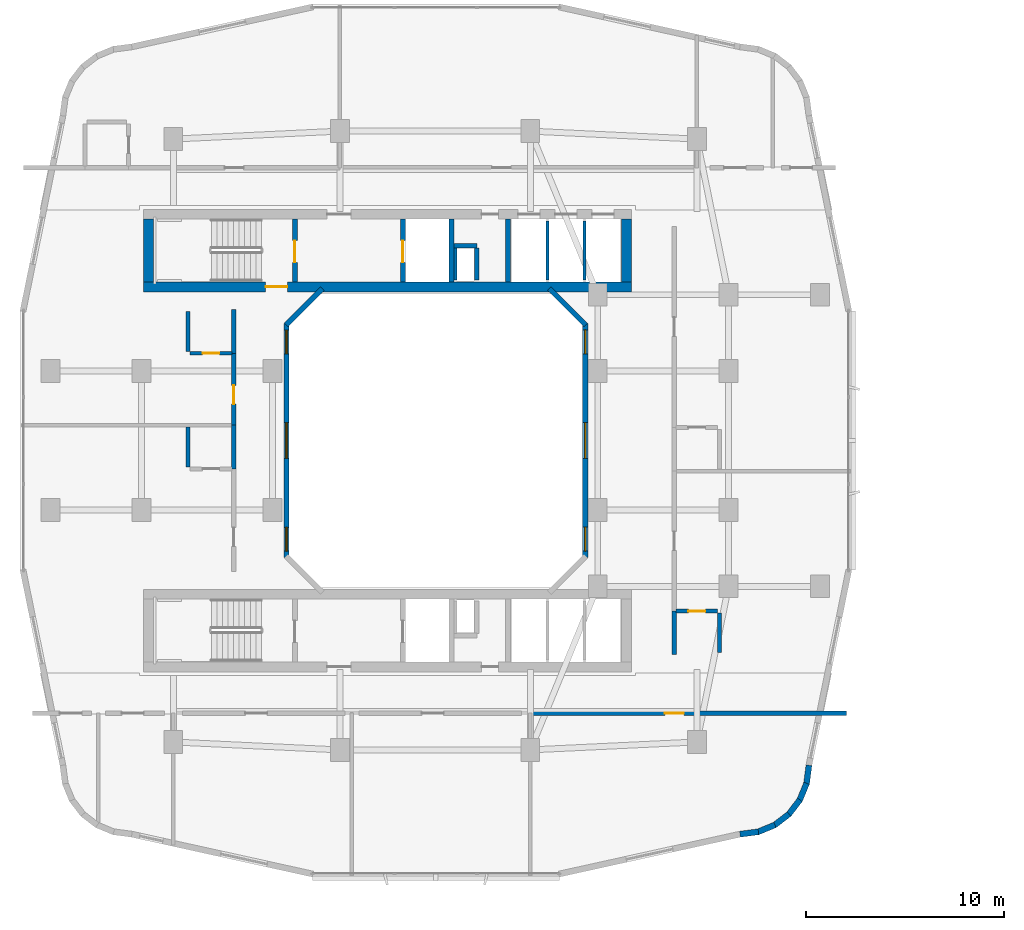
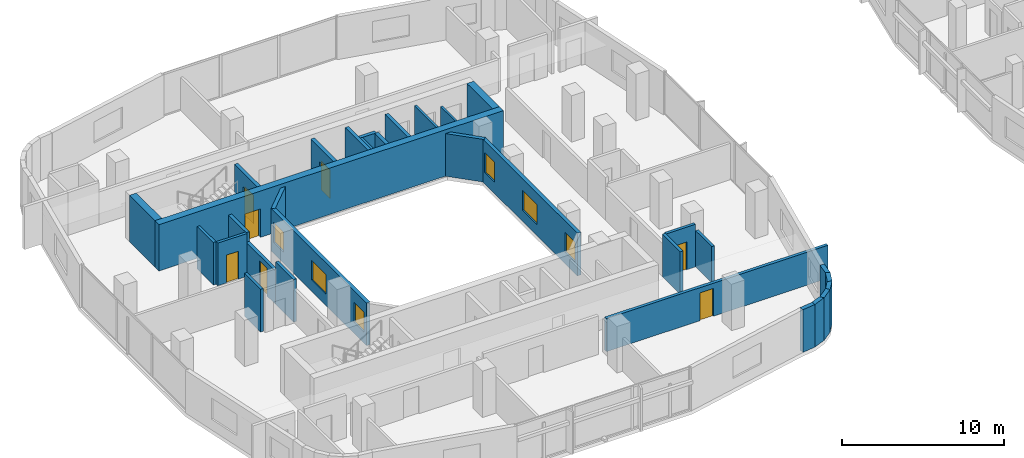
# One storey, part 14 of 26: 32 walls, 7 doors, 6 windows, 13 openings.
"""IFC4 building model written with IfcOpenShell, lengths in metres."""

import ifcopenshell
import ifcopenshell.guid

model = None  # the IFC model being written
_history = None  # IfcOwnerHistory: only IFC2X3 demands one
_inside = {}  # id of a spatial element -> (the spatial element, [elements in it])
_under = {}  # id of a project, library or spatial element -> (it, [spatial elements below it])
_declared = {}  # id of a project -> (the project, [libraries it declares])
_typed = {}  # id of a type object -> (the type object, [elements of that type])
_made_of = {}  # id of a material, layer set ... -> (it, [elements and type objects made of it])


def new_model(schema):
    """Start an empty IFC model of exactly this schema.

    Asked for "IFC4X3", IfcOpenShell would pick the latest addendum, in which some entities
    have other attributes; the version numbers below select the first issue.
    IFC2X3 requires an IfcOwnerHistory on every rooted entity: one is made here for all.
    """
    global model, _history
    if schema == "IFC4X3":
        model = ifcopenshell.file(schema_version=(4, 3, 0, 0))
    else:
        model = ifcopenshell.file(schema=schema)
    _inside.clear()
    _under.clear()
    _declared.clear()
    _typed.clear()
    _made_of.clear()
    _history = None
    if model.schema == "IFC2X3":
        org = make("IfcOrganization", Name="unknown")
        user = make(
            "IfcPersonAndOrganization",
            ThePerson=make("IfcPerson", FamilyName="unknown"),
            TheOrganization=org,
        )
        app = make(
            "IfcApplication",
            ApplicationDeveloper=org,
            Version="unknown",
            ApplicationFullName="unknown",
            ApplicationIdentifier="unknown",
        )
        _history = make(
            "IfcOwnerHistory",
            OwningUser=user,
            OwningApplication=app,
            ChangeAction="ADDED",
            CreationDate=0,
        )
    return model


def make(cls, **values):
    """One entity of the class cls with the attributes given. An attribute that is None is left unset."""
    return model.create_entity(
        cls, **{name: value for name, value in values.items() if value is not None}
    )


def rooted(cls, **values):
    """An entity with a GlobalId (a new one), such as an element, a storey or a relation."""
    return make(cls, GlobalId=ifcopenshell.guid.new(), OwnerHistory=_history, **values)


def si_unit(unit_type, name, prefix=None):
    """IfcSIUnit, for example si_unit("LENGTHUNIT", "METRE", prefix="MILLI")."""
    return make("IfcSIUnit", UnitType=unit_type, Prefix=prefix, Name=name)


def derived_unit(unit_type, elements):
    """IfcDerivedUnit: a product of units, each with its exponent."""
    return make(
        "IfcDerivedUnit",
        Elements=[
            make("IfcDerivedUnitElement", Unit=unit, Exponent=power)
            for unit, power in elements
        ],
        UnitType=unit_type,
    )


def assignment(units):
    """IfcUnitAssignment: the units of a project."""
    return None if units is None else make("IfcUnitAssignment", Units=units)


def point(xyz):
    """IfcCartesianPoint."""
    return None if xyz is None else make("IfcCartesianPoint", Coordinates=xyz)


def direction(xyz):
    """IfcDirection."""
    return None if xyz is None else make("IfcDirection", DirectionRatios=xyz)


def frame(location, z_axis=None, x_axis=None):
    """IfcAxis2Placement3D, a coordinate frame: its origin and axes. An axis left out is left unset."""
    return make(
        "IfcAxis2Placement3D",
        Location=point(location),
        Axis=direction(z_axis),
        RefDirection=direction(x_axis),
    )


def frame_2d(location, x_axis=None):
    """IfcAxis2Placement2D, a coordinate frame in the plane: its origin and x axis."""
    return make(
        "IfcAxis2Placement2D", Location=point(location), RefDirection=direction(x_axis)
    )


def origin():
    """The frame at (0, 0, 0) with its axes left unset."""
    return frame((0.0, 0.0, 0.0))


def place(relative_to, where):
    """IfcLocalPlacement: puts the frame where relative to a parent placement (None: the world)."""
    return make(
        "IfcLocalPlacement", PlacementRelTo=relative_to, RelativePlacement=where
    )


def context(
    kind, dimensions, precision=None, world=None, true_north=None, identifier=None
):
    """IfcGeometricRepresentationContext, for example the 3D "Model" context."""
    return make(
        "IfcGeometricRepresentationContext",
        ContextIdentifier=identifier,
        ContextType=kind,
        CoordinateSpaceDimension=dimensions,
        Precision=precision,
        WorldCoordinateSystem=world,
        TrueNorth=true_north,
    )


def subcontext(parent, identifier, kind, view, scale=None):
    """IfcGeometricRepresentationSubContext, for example "Body" below "Model"."""
    return make(
        "IfcGeometricRepresentationSubContext",
        ContextIdentifier=identifier,
        ContextType=kind,
        ParentContext=parent,
        TargetScale=scale,
        TargetView=view,
    )


def project(units=None, contexts=None):
    """IfcProject with its units and contexts."""
    return rooted(
        "IfcProject",
        Name="project",
        RepresentationContexts=contexts,
        UnitsInContext=assignment(units),
    )


def spatial(cls, under=None, at=None, **own):
    """A site, building, storey or space (cls), placed at a placement, below another one or the project."""
    s = rooted(cls, ObjectPlacement=at, **own)
    if under is not None:
        _under.setdefault(under.id(), (under, []))[1].append(s)
    return s


def profile(cls, at=None, kind="AREA", **sizes):
    """A parametric profile (cls). Its sizes go by their IFC names, for example OverallWidth=200.0."""
    return make(cls, ProfileType=kind, Position=at, **sizes)


def rectangle(**sizes):
    """IfcRectangleProfileDef."""
    return profile("IfcRectangleProfileDef", **sizes)


def extrude(swept, where, along, depth):
    """IfcExtrudedAreaSolid: the profile swept, set in the frame where, extruded along a direction by depth."""
    return make(
        "IfcExtrudedAreaSolid",
        SweptArea=swept,
        Position=where,
        ExtrudedDirection=direction(along),
        Depth=depth,
    )


def shape(context_of_items, identifier, shape_type, items):
    """IfcShapeRepresentation: the items that make up one representation, for example the "Body"."""
    return make(
        "IfcShapeRepresentation",
        ContextOfItems=context_of_items,
        RepresentationIdentifier=identifier,
        RepresentationType=shape_type,
        Items=items,
    )


def material(Name=None, Category=None):
    """IfcMaterial."""
    return make("IfcMaterial", Name=Name, Category=Category)


def layer(
    of_material, thickness, ventilated=None, Name=None, Category=None, Priority=None
):
    """IfcMaterialLayer: one layer of a wall or slab, of a material (None: an air gap)."""
    return make(
        "IfcMaterialLayer",
        Material=of_material,
        LayerThickness=thickness,
        IsVentilated=ventilated,
        Name=Name,
        Category=Category,
        Priority=Priority,
    )


def layer_set(layers, Name=None):
    """IfcMaterialLayerSet."""
    return make("IfcMaterialLayerSet", MaterialLayers=layers, LayerSetName=Name)


def made_of(thing, what):
    """Note that an element or type object is made of a material, layer set ...; save() writes the relation."""
    if what is not None:
        _made_of.setdefault(what.id(), (what, []))[1].append(thing)
    return thing


def type_object(cls, material=None, **own):
    """A type object (cls), such as IfcWallType, which elements share."""
    return made_of(rooted(cls, **own), material)


def element(
    cls,
    number,
    at=None,
    inside=None,
    cuts=None,
    type_object=None,
    material=None,
    context=None,
    identifier="Body",
    shape_type=None,
    held_by="IfcProductDefinitionShape",
    body=None,
    shapes=None,
    **own,
):
    """One element of the class cls, such as IfcWall. Its Tag is "e" and its number.

    at: its placement. inside: the storey or other place that contains it. cuts: it is an
    opening in that element (IfcRelVoidsElement). A single representation is given by context,
    identifier, shape_type and body (its items); several are given by shapes. held_by: the class
    of the entity that holds the representations. save() writes the other relations.
    """
    e = rooted(cls, Tag="e%d" % number, ObjectPlacement=at, **own)
    if body is not None:
        shapes = [shape(context, identifier, shape_type, body)]
    if shapes is not None:
        e.Representation = make(held_by, Representations=shapes)
    if inside is not None:
        _inside.setdefault(inside.id(), (inside, []))[1].append(e)
    if cuts is not None:
        rooted(
            "IfcRelVoidsElement", RelatingBuildingElement=cuts, RelatedOpeningElement=e
        )
    if type_object is not None:
        _typed.setdefault(type_object.id(), (type_object, []))[1].append(e)
    return made_of(e, material)


def fill(opening, filler):
    """IfcRelFillsElement: the door or window that sits in an opening."""
    return rooted(
        "IfcRelFillsElement",
        RelatingOpeningElement=opening,
        RelatedBuildingElement=filler,
    )


def aggregate(whole, parts):
    """IfcRelAggregates: a whole, such as a stair, and the parts it consists of."""
    return rooted("IfcRelAggregates", RelatingObject=whole, RelatedObjects=parts)


def save(model, path):
    """Write the relations noted so far, then the file.

    IfcRelAggregates (storeys below a building ...), IfcRelContainedInSpatialStructure (elements
    in a storey), IfcRelDefinesByType, IfcRelAssociatesMaterial and IfcRelDeclares: one each for
    every whole, place, type object, material and project.
    """
    for whole, parts in _under.values():
        aggregate(whole, parts)
    for where, things in _inside.values():
        rooted(
            "IfcRelContainedInSpatialStructure",
            RelatedElements=things,
            RelatingStructure=where,
        )
    for kind, things in _typed.values():
        rooted("IfcRelDefinesByType", RelatedObjects=things, RelatingType=kind)
    for what, things in _made_of.values():
        rooted("IfcRelAssociatesMaterial", RelatedObjects=things, RelatingMaterial=what)
    for by, libraries in _declared.values():
        rooted("IfcRelDeclares", RelatingContext=by, RelatedDefinitions=libraries)
    model.write(path)


model = new_model("IFC4")

# Units and contexts
model_context = context("Model", 3, precision=1e-05, world=origin(), true_north=direction((0.0, 1.0)))
body_context = subcontext(model_context, "Body", "Model", "MODEL_VIEW")
ifc_project = project(units=[si_unit("LENGTHUNIT", "METRE"), si_unit("AREAUNIT", "SQUARE_METRE"), si_unit("VOLUMEUNIT", "CUBIC_METRE"), si_unit("PLANEANGLEUNIT", "RADIAN"), si_unit("MASSUNIT", "GRAM", prefix="KILO"), derived_unit("THERMALTRANSMITTANCEUNIT", [(si_unit("POWERUNIT", "WATT"), 1), (si_unit("LENGTHUNIT", "METRE"), -2), (si_unit("THERMODYNAMICTEMPERATUREUNIT", "KELVIN"), -1)])], contexts=[model_context])

# Site, building, storey
site_placement = place(None, origin())
site = spatial("IfcSite", under=ifc_project, at=site_placement, CompositionType="ELEMENT")
building_placement = place(site_placement, origin())
building = spatial("IfcBuilding", under=site, at=building_placement, Name="Kivonza Crest Hotel", CompositionType="ELEMENT")
storey_placement = place(building_placement, frame((0.0, 0.0, 66.0)))
storey = spatial("IfcBuildingStorey", under=building, at=storey_placement, Name="L17", CompositionType="ELEMENT", Elevation=66.0)

# Wall, opening, door
ifc_material_1 = material(Name="Autoclaved aerated concrete blockwork", Category="masonry")
ifc_layer_1 = layer(ifc_material_1, 0.219970703125)
ifc_layer_set_1 = layer_set([ifc_layer_1], Name="Autoclaved aerated concrete blockwork")
wall_type_1 = type_object("IfcWallType", Name="WL-ACOU-220", PredefinedType="SOLIDWALL", material=ifc_layer_set_1)
wall_1_placement = place(storey_placement, frame((25.89990234375, 11.25, 0.0), z_axis=(0.0, 0.0, 1.0), x_axis=(1.0, 0.0, 0.0)))
wall_1 = element("IfcWall", 1, at=wall_1_placement, inside=storey, type_object=wall_type_1, Name="L17 interior partition WA-L17-BUS-MTG-N", PredefinedType="SOLIDWALL", context=body_context, shape_type="SweptSolid", body=[
    extrude(rectangle(XDim=15.840087890625, YDim=0.219970703125, at=frame_2d((7.919921875, 0.0))), origin(), (0.0, 0.0, 1.0), 2.4951171875),
])
opening_1_placement = place(wall_1_placement, frame((6.69091796875, 0.0, 0.0)))
opening_1 = element("IfcOpeningElement", 2, at=opening_1_placement, cuts=wall_1, Name="Opening DF-60S", PredefinedType="OPENING", context=body_context, shape_type="SweptSolid", body=[
    extrude(rectangle(XDim=0.949951171875, YDim=2.10009765625, at=frame_2d((0.47509765625, 1.050048828125))), frame((0.0, 0.1201171875, 0.0), z_axis=(0.0, -1.0, 0.0), x_axis=(1.0, 0.0, 0.0)), (0.0, 0.0, 1.0), 0.239990234375),
])
ifc_material_2 = material(Name="Hardwood timber oak", Category="wood")
door_type_1 = type_object("IfcDoorType", Name="DR-FD60-950", OperationType="NOTDEFINED", PredefinedType="DOOR", material=ifc_material_2)
door_1_placement = place(opening_1_placement, frame((0.949951171875, 0.0, 0.0), z_axis=(0.0, 0.0, 1.0), x_axis=(-1.0, 0.0, 0.0)))
door_1 = element("IfcDoor", 3, at=door_1_placement, inside=storey, type_object=door_type_1, Name="L17 Floor Beverage Kitchen door", OperationType="SINGLE_SWING_RIGHT", OverallHeight=2.10009765625, OverallWidth=0.949951171875, PredefinedType="DOOR", context=body_context, shape_type="SweptSolid", body=[
    extrude(rectangle(XDim=0.949951171875, YDim=2.10009765625, at=frame_2d((0.47509765625, 1.050048828125))), frame((0.0, 0.02490234375, 0.0), z_axis=(0.0, -1.0, 0.0), x_axis=(1.0, 0.0, 0.0)), (0.0, 0.0, 1.0), 0.050048828125),
])
fill(opening_1, door_1)

# Walls
wall_2_placement = place(storey_placement, frame((10.85009765625, 23.570068359375, 0.0), z_axis=(0.0, 0.0, 1.0), x_axis=(0.0, 1.0, 0.0)))
element("IfcWall", 4, at=wall_2_placement, inside=storey, type_object=wall_type_1, Name="L17 interior partition WA-L17-W02-BCORR", PredefinedType="SOLIDWALL", context=body_context, shape_type="SweptSolid", body=[
    extrude(rectangle(XDim=2.199951171875, YDim=0.219970703125, at=frame_2d((1.10009765625, 0.0))), origin(), (0.0, 0.0, 1.0), 3.219970703125),
])
wall_3_placement = place(storey_placement, frame((10.85009765625, 29.39990234375, 0.0), z_axis=(0.0, 0.0, 1.0), x_axis=(0.0, 1.0, 0.0)))
element("IfcWall", 5, at=wall_3_placement, inside=storey, type_object=wall_type_1, Name="L17 interior partition WA-L17-W03-BCORR", PredefinedType="SOLIDWALL", context=body_context, shape_type="SweptSolid", body=[
    extrude(rectangle(XDim=2.2001953125, YDim=0.219970703125, at=frame_2d((1.10009765625, 0.0))), origin(), (0.0, 0.0, 1.0), 3.219970703125),
])

# Wall, opening, door
wall_4_placement = place(storey_placement, frame((10.85009765625, 25.77001953125, 0.0), z_axis=(0.0, 0.0, 1.0), x_axis=(0.0, 1.0, 0.0)))
wall_4 = element("IfcWall", 6, at=wall_4_placement, inside=storey, type_object=wall_type_1, Name="L17 interior partition WA-L17-W03-MCORR", PredefinedType="SOLIDWALL", context=body_context, shape_type="SweptSolid", body=[
    extrude(rectangle(XDim=3.6298828125, YDim=0.219970703125, at=frame_2d((1.81494140625, 0.0))), origin(), (0.0, 0.0, 1.0), 2.4951171875),
])
opening_2_placement = place(wall_4_placement, frame((1.06005859375, 0.0, 0.0)))
opening_2 = element("IfcOpeningElement", 7, at=opening_2_placement, cuts=wall_4, Name="Opening DU-60", PredefinedType="OPENING", context=body_context, shape_type="SweptSolid", body=[
    extrude(rectangle(XDim=0.949951171875, YDim=2.10009765625, at=frame_2d((0.47509765625, 1.050048828125))), frame((0.0, 0.1201171875, 0.0), z_axis=(0.0, -1.0, 0.0), x_axis=(1.0, 0.0, 0.0)), (0.0, 0.0, 1.0), 0.239990234375),
])
door_type_2 = type_object("IfcDoorType", Name="DR-UNIT-950", OperationType="NOTDEFINED", PredefinedType="DOOR", material=ifc_material_2)
door_2_placement = place(opening_2_placement, origin())
door_2 = element("IfcDoor", 8, at=door_2_placement, inside=storey, type_object=door_type_2, Name="L17 W03 guest unit entrance fire door", OperationType="SINGLE_SWING_LEFT", OverallHeight=2.10009765625, OverallWidth=0.949951171875, PredefinedType="DOOR", context=body_context, shape_type="SweptSolid", body=[
    extrude(rectangle(XDim=0.949951171875, YDim=2.10009765625, at=frame_2d((0.47509765625, 1.050048828125))), frame((0.0, 0.02490234375, 0.0), z_axis=(0.0, -1.0, 0.0), x_axis=(1.0, 0.0, 0.0)), (0.0, 0.0, 1.0), 0.050048828125),
])
fill(opening_2, door_2)

# Wall
wall_5_placement = place(storey_placement, frame((33.050048828125, 14.199951171875, 0.0), z_axis=(0.0, 0.0, 1.0), x_axis=(0.0, 1.0, 0.0)))
element("IfcWall", 9, at=wall_5_placement, inside=storey, type_object=wall_type_1, Name="L17 interior partition WA-L17-E04-BCORR", PredefinedType="SOLIDWALL", context=body_context, shape_type="SweptSolid", body=[
    extrude(rectangle(XDim=2.199951171875, YDim=0.219970703125, at=frame_2d((1.10009765625, 0.0))), origin(), (0.0, 0.0, 1.0), 3.219970703125),
])

# Wall, opening, door
ifc_material_3 = material(Name="Concrete C60/75", Category="concrete")
ifc_layer_2 = layer(ifc_material_3, 0.5)
ifc_layer_set_2 = layer_set([ifc_layer_2], Name="Concrete C60/75")
wall_type_2 = type_object("IfcWallType", Name="WL-CORE-500", PredefinedType="SHEAR", material=ifc_layer_set_2)
wall_6_placement = place(storey_placement, frame((6.300048828125, 32.75, 0.0), z_axis=(0.0, 0.0, 1.0), x_axis=(1.0, 0.0, 0.0)))
wall_6 = element("IfcWall", 10, at=wall_6_placement, inside=storey, type_object=wall_type_2, Name="Core wall T1-N South L17", PredefinedType="SHEAR", context=body_context, shape_type="SweptSolid", body=[
    extrude(rectangle(XDim=24.599853515625, YDim=0.5, at=frame_2d((12.2998046875, 0.0))), origin(), (0.0, 0.0, 1.0), 3.5),
])
opening_3_placement = place(wall_6_placement, frame((6.14990234375, 0.0, 0.0)))
opening_3 = element("IfcOpeningElement", 11, at=opening_3_placement, cuts=wall_6, Name="Opening DF-120", PredefinedType="OPENING", context=body_context, shape_type="SweptSolid", body=[
    extrude(rectangle(XDim=1.10009765625, YDim=2.14990234375, at=frame_2d((0.550048828125, 1.074951171875))), frame((0.0, 0.260009765625, 0.0), z_axis=(0.0, -1.0, 0.0), x_axis=(1.0, 0.0, 0.0)), (0.0, 0.0, 1.0), 0.52001953125),
])
ifc_material_4 = material(Name="Galvanised steel", Category="steel")
door_type_3 = type_object("IfcDoorType", Name="DR-FD120-1100", OperationType="NOTDEFINED", PredefinedType="DOOR", material=ifc_material_4)
door_3_placement = place(opening_3_placement, origin())
door_3 = element("IfcDoor", 12, at=door_3_placement, inside=storey, type_object=door_type_3, Name="L17 West corridor stair access fire door", OperationType="SINGLE_SWING_LEFT", OverallHeight=2.14990234375, OverallWidth=1.10009765625, PredefinedType="DOOR", context=body_context, shape_type="SweptSolid", body=[
    extrude(rectangle(XDim=1.10009765625, YDim=2.14990234375, at=frame_2d((0.550048828125, 1.074951171875))), frame((0.0, 0.02490234375, 0.0), z_axis=(0.0, -1.0, 0.0), x_axis=(1.0, 0.0, 0.0)), (0.0, 0.0, 1.0), 0.050048828125),
])
fill(opening_3, door_3)

# Walls
for number, where, z_axis, x_axis, name in (
    (13, (6.550048828125, 33.0, 0.0), (0.0, 0.0, 1.0), (0.0, 1.0, 0.0), "Core wall T1-N West L17"),
    (14, (30.64990234375, 33.0, 0.0), (0.0, 0.0, 1.0), (0.0, 1.0, 0.0), "Core wall T1-N East L17"),
):
    element("IfcWall", number, at=place(storey_placement, frame(where, z_axis=z_axis, x_axis=x_axis)), inside=storey, type_object=wall_type_2, Name=name, PredefinedType="SHEAR", context=body_context, shape_type="SweptSolid", body=[
        extrude(rectangle(XDim=3.159912109375, YDim=0.5, at=frame_2d((1.580078125, 0.0))), origin(), (0.0, 0.0, 1.0), 3.5),
    ])

# Wall, openings, windows
ifc_material_5 = material(Name="Precast concrete C40/50", Category="concrete")
ifc_layer_3 = layer(ifc_material_5, 0.260009765625)
ifc_layer_set_3 = layer_set([ifc_layer_3], Name="Precast concrete C40/50")
wall_type_3 = type_object("IfcWallType", Name="WL-EXT-260", PredefinedType="STANDARD", material=ifc_layer_set_3)
wall_7_placement = place(storey_placement, frame((28.570068359375, 19.110107421875, 0.0), z_axis=(0.0, 0.0, 1.0), x_axis=(0.0, 1.0, 0.0)))
wall_7 = element("IfcWall", 15, at=wall_7_placement, inside=storey, type_object=wall_type_3, Name="L17 T1 light-well exterior wall 3", PredefinedType="STANDARD", context=body_context, shape_type="SweptSolid", body=[
    extrude(rectangle(XDim=11.77978515625, YDim=0.260009765625, at=frame_2d((5.889892578125, 0.0))), origin(), (0.0, 0.0, 1.0), 3.219970703125),
])
opening_4_placement = place(wall_7_placement, frame((0.318115234375, 0.0, 0.85009765625)))
opening_4 = element("IfcOpeningElement", 16, at=opening_4_placement, cuts=wall_7, Name="Opening WN-01", PredefinedType="OPENING", context=body_context, shape_type="SweptSolid", body=[
    extrude(rectangle(XDim=1.199951171875, YDim=1.5, at=frame_2d((0.60009765625, 0.75))), frame((0.0, 0.14013671875, 0.0), z_axis=(0.0, -1.0, 0.0), x_axis=(1.0, 0.0, 0.0)), (0.0, 0.0, 1.0), 0.280029296875),
])
opening_5_placement = place(wall_7_placement, frame((4.989990234375, 0.0, 0.85009765625)))
opening_5 = element("IfcOpeningElement", 17, at=opening_5_placement, cuts=wall_7, Name="Opening WN-03", PredefinedType="OPENING", context=body_context, shape_type="SweptSolid", body=[
    extrude(rectangle(XDim=1.800048828125, YDim=1.5, at=frame_2d((0.89990234375, 0.75))), frame((0.0, 0.14013671875, 0.0), z_axis=(0.0, -1.0, 0.0), x_axis=(1.0, 0.0, 0.0)), (0.0, 0.0, 1.0), 0.280029296875),
])
opening_6_placement = place(wall_7_placement, frame((10.262939453125, 0.0, 0.85009765625)))
opening_6 = element("IfcOpeningElement", 18, at=opening_6_placement, cuts=wall_7, Name="Opening WN-01", PredefinedType="OPENING", context=body_context, shape_type="SweptSolid", body=[
    extrude(rectangle(XDim=1.199951171875, YDim=1.5, at=frame_2d((0.60009765625, 0.75))), frame((0.0, 0.14013671875, 0.0), z_axis=(0.0, -1.0, 0.0), x_axis=(1.0, 0.0, 0.0)), (0.0, 0.0, 1.0), 0.280029296875),
])
ifc_material_6 = material(Name="Thermally broken bronze aluminium and low-E double glazing", Category="aluminium")
window_type_1 = type_object("IfcWindowType", Name="WN-120x150", PartitioningType="SINGLE_PANEL", PredefinedType="WINDOW", material=ifc_material_6)
window_1_placement = place(opening_4_placement, origin())
window_1 = element("IfcWindow", 19, at=window_1_placement, inside=storey, type_object=window_type_1, Name="L17 T1 light-well window 3 bay 1", OverallHeight=1.5, OverallWidth=1.199951171875, PartitioningType="SINGLE_PANEL", PredefinedType="WINDOW", context=body_context, shape_type="SweptSolid", body=[
    extrude(rectangle(XDim=1.199951171875, YDim=1.5, at=frame_2d((0.60009765625, 0.75))), frame((0.0, 0.030029296875, 0.0), z_axis=(0.0, -1.0, 0.0), x_axis=(1.0, 0.0, 0.0)), (0.0, 0.0, 1.0), 0.06005859375),
])
fill(opening_4, window_1)
window_2_placement = place(opening_6_placement, origin())
window_2 = element("IfcWindow", 20, at=window_2_placement, inside=storey, type_object=window_type_1, Name="L17 T1 light-well window 3 bay 3", OverallHeight=1.5, OverallWidth=1.199951171875, PartitioningType="SINGLE_PANEL", PredefinedType="WINDOW", context=body_context, shape_type="SweptSolid", body=[
    extrude(rectangle(XDim=1.199951171875, YDim=1.5, at=frame_2d((0.60009765625, 0.75))), frame((0.0, 0.030029296875, 0.0), z_axis=(0.0, -1.0, 0.0), x_axis=(1.0, 0.0, 0.0)), (0.0, 0.0, 1.0), 0.06005859375),
])
fill(opening_6, window_2)
window_type_2 = type_object("IfcWindowType", Name="WN-180x150", PartitioningType="DOUBLE_PANEL_VERTICAL", PredefinedType="WINDOW", material=ifc_material_6)
window_3_placement = place(opening_5_placement, origin())
window_3 = element("IfcWindow", 21, at=window_3_placement, inside=storey, type_object=window_type_2, Name="L17 T1 light-well window 3 bay 2", OverallHeight=1.5, OverallWidth=1.800048828125, PartitioningType="SINGLE_PANEL", PredefinedType="WINDOW", context=body_context, shape_type="SweptSolid", body=[
    extrude(rectangle(XDim=1.800048828125, YDim=1.5, at=frame_2d((0.89990234375, 0.75))), frame((0.0, 0.030029296875, 0.0), z_axis=(0.0, -1.0, 0.0), x_axis=(1.0, 0.0, 0.0)), (0.0, 0.0, 1.0), 0.06005859375),
])
fill(opening_5, window_3)

# Walls
wall_8_placement = place(storey_placement, frame((28.595947265625, 30.827880859375, 0.0), z_axis=(0.0, 0.0, 1.0), x_axis=(-0.707059717605, 0.707153841636, 0.0)))
element("IfcWall", 22, at=wall_8_placement, inside=storey, type_object=wall_type_3, Name="L17 T1 light-well exterior wall 4", PredefinedType="STANDARD", context=body_context, shape_type="SweptSolid", body=[
    extrude(rectangle(XDim=2.59375, YDim=0.260009765625, at=frame_2d((1.296875, 0.0))), origin(), (0.0, 0.0, 1.0), 3.219970703125),
])
wall_9_placement = place(storey_placement, frame((15.318115234375, 32.662109375, 0.0), z_axis=(0.0, 0.0, 1.0), x_axis=(-0.707106781187, -0.707106781187, 0.0)))
element("IfcWall", 23, at=wall_9_placement, inside=storey, type_object=wall_type_3, Name="L17 T1 light-well exterior wall 6", PredefinedType="STANDARD", context=body_context, shape_type="SweptSolid", body=[
    extrude(rectangle(XDim=2.593994140625, YDim=0.260009765625, at=frame_2d((1.296875, 0.0))), origin(), (0.0, 0.0, 1.0), 3.219970703125),
])

# Wall, openings, windows
wall_10_placement = place(storey_placement, frame((13.510009765625, 30.889892578125, 0.0), z_axis=(0.0, 0.0, 1.0), x_axis=(0.0, -1.0, 0.0)))
wall_10 = element("IfcWall", 24, at=wall_10_placement, inside=storey, type_object=wall_type_3, Name="L17 T1 light-well exterior wall 7", PredefinedType="STANDARD", context=body_context, shape_type="SweptSolid", body=[
    extrude(rectangle(XDim=11.77978515625, YDim=0.260009765625, at=frame_2d((5.889892578125, 0.0))), origin(), (0.0, 0.0, 1.0), 3.219970703125),
])
opening_7_placement = place(wall_10_placement, frame((0.318115234375, 0.0, 0.85009765625)))
opening_7 = element("IfcOpeningElement", 25, at=opening_7_placement, cuts=wall_10, Name="Opening WN-01", PredefinedType="OPENING", context=body_context, shape_type="SweptSolid", body=[
    extrude(rectangle(XDim=1.199951171875, YDim=1.5, at=frame_2d((0.60009765625, 0.75))), frame((0.0, 0.14013671875, 0.0), z_axis=(0.0, -1.0, 0.0), x_axis=(1.0, 0.0, 0.0)), (0.0, 0.0, 1.0), 0.280029296875),
])
opening_8_placement = place(wall_10_placement, frame((4.989990234375, 0.0, 0.85009765625)))
opening_8 = element("IfcOpeningElement", 26, at=opening_8_placement, cuts=wall_10, Name="Opening WN-03", PredefinedType="OPENING", context=body_context, shape_type="SweptSolid", body=[
    extrude(rectangle(XDim=1.800048828125, YDim=1.5, at=frame_2d((0.89990234375, 0.75))), frame((0.0, 0.14013671875, 0.0), z_axis=(0.0, -1.0, 0.0), x_axis=(1.0, 0.0, 0.0)), (0.0, 0.0, 1.0), 0.280029296875),
])
opening_9_placement = place(wall_10_placement, frame((10.262939453125, 0.0, 0.85009765625)))
opening_9 = element("IfcOpeningElement", 27, at=opening_9_placement, cuts=wall_10, Name="Opening WN-01", PredefinedType="OPENING", context=body_context, shape_type="SweptSolid", body=[
    extrude(rectangle(XDim=1.199951171875, YDim=1.5, at=frame_2d((0.60009765625, 0.75))), frame((0.0, 0.14013671875, 0.0), z_axis=(0.0, -1.0, 0.0), x_axis=(1.0, 0.0, 0.0)), (0.0, 0.0, 1.0), 0.280029296875),
])
window_4_placement = place(opening_7_placement, origin())
window_4 = element("IfcWindow", 28, at=window_4_placement, inside=storey, type_object=window_type_1, Name="L17 T1 light-well window 7 bay 1", OverallHeight=1.5, OverallWidth=1.199951171875, PartitioningType="SINGLE_PANEL", PredefinedType="WINDOW", context=body_context, shape_type="SweptSolid", body=[
    extrude(rectangle(XDim=1.199951171875, YDim=1.5, at=frame_2d((0.60009765625, 0.75))), frame((0.0, 0.030029296875, 0.0), z_axis=(0.0, -1.0, 0.0), x_axis=(1.0, 0.0, 0.0)), (0.0, 0.0, 1.0), 0.06005859375),
])
fill(opening_7, window_4)
window_5_placement = place(opening_9_placement, origin())
window_5 = element("IfcWindow", 29, at=window_5_placement, inside=storey, type_object=window_type_1, Name="L17 T1 light-well window 7 bay 3", OverallHeight=1.5, OverallWidth=1.199951171875, PartitioningType="SINGLE_PANEL", PredefinedType="WINDOW", context=body_context, shape_type="SweptSolid", body=[
    extrude(rectangle(XDim=1.199951171875, YDim=1.5, at=frame_2d((0.60009765625, 0.75))), frame((0.0, 0.030029296875, 0.0), z_axis=(0.0, -1.0, 0.0), x_axis=(1.0, 0.0, 0.0)), (0.0, 0.0, 1.0), 0.06005859375),
])
fill(opening_9, window_5)
window_6_placement = place(opening_8_placement, origin())
window_6 = element("IfcWindow", 30, at=window_6_placement, inside=storey, type_object=window_type_2, Name="L17 T1 light-well window 7 bay 2", OverallHeight=1.5, OverallWidth=1.800048828125, PartitioningType="SINGLE_PANEL", PredefinedType="WINDOW", context=body_context, shape_type="SweptSolid", body=[
    extrude(rectangle(XDim=1.800048828125, YDim=1.5, at=frame_2d((0.89990234375, 0.75))), frame((0.0, 0.030029296875, 0.0), z_axis=(0.0, -1.0, 0.0), x_axis=(1.0, 0.0, 0.0)), (0.0, 0.0, 1.0), 0.06005859375),
])
fill(opening_8, window_6)

# Walls
ifc_layer_4 = layer(ifc_material_5, 0.300048828125)
ifc_layer_set_4 = layer_set([ifc_layer_4], Name="Precast concrete C40/50")
wall_type_4 = type_object("IfcWallType", Name="WL-EXT-300", PredefinedType="STANDARD", material=ifc_layer_set_4)
wall_11_placement = place(storey_placement, frame((36.3720703125, 5.14794921875, 0.0), z_axis=(0.0, 0.0, 1.0), x_axis=(0.991359246108, 0.131174864804, 0.0)))
element("IfcWall", 31, at=wall_11_placement, inside=storey, type_object=wall_type_4, Name="L17 T1 exterior insulated wall 10", PredefinedType="STANDARD", context=body_context, shape_type="SweptSolid", body=[
    extrude(rectangle(XDim=0.93798828125, YDim=0.300048828125, at=frame_2d((0.468994140625, 0.0))), origin(), (0.0, 0.0, 1.0), 3.219970703125),
])
wall_12_placement = place(storey_placement, frame((37.251953125, 5.251953125, 0.0), z_axis=(0.0, 0.0, 1.0), x_axis=(0.924019948111, 0.382344263057, 0.0)))
element("IfcWall", 32, at=wall_12_placement, inside=storey, type_object=wall_type_4, Name="L17 T1 exterior insulated wall 11", PredefinedType="STANDARD", context=body_context, shape_type="SweptSolid", body=[
    extrude(rectangle(XDim=0.95458984375, YDim=0.300048828125, at=frame_2d((0.477294921875, 0.0))), origin(), (0.0, 0.0, 1.0), 3.219970703125),
])
wall_13_placement = place(storey_placement, frame((38.089111328125, 5.5859375, 0.0), z_axis=(0.0, 0.0, 1.0), x_axis=(0.793573440799, 0.608474481025, 0.0)))
element("IfcWall", 33, at=wall_13_placement, inside=storey, type_object=wall_type_4, Name="L17 T1 exterior insulated wall 12", PredefinedType="STANDARD", context=body_context, shape_type="SweptSolid", body=[
    extrude(rectangle(XDim=0.954833984375, YDim=0.300048828125, at=frame_2d((0.4775390625, 0.0))), origin(), (0.0, 0.0, 1.0), 3.219970703125),
])
wall_14_placement = place(storey_placement, frame((38.81201171875, 6.125, 0.0), z_axis=(0.0, 0.0, 1.0), x_axis=(0.608351047625, 0.793668068435, 0.0)))
element("IfcWall", 34, at=wall_14_placement, inside=storey, type_object=wall_type_4, Name="L17 T1 exterior insulated wall 13", PredefinedType="STANDARD", context=body_context, shape_type="SweptSolid", body=[
    extrude(rectangle(XDim=0.955078125, YDim=0.300048828125, at=frame_2d((0.4775390625, 0.0))), origin(), (0.0, 0.0, 1.0), 3.219970703125),
])
wall_15_placement = place(storey_placement, frame((39.368896484375, 6.833984375, 0.0), z_axis=(0.0, 0.0, 1.0), x_axis=(0.382344263057, 0.924019948111, 0.0)))
element("IfcWall", 35, at=wall_15_placement, inside=storey, type_object=wall_type_4, Name="L17 T1 exterior insulated wall 14", PredefinedType="STANDARD", context=body_context, shape_type="SweptSolid", body=[
    extrude(rectangle(XDim=0.95458984375, YDim=0.300048828125, at=frame_2d((0.477294921875, 0.0))), origin(), (0.0, 0.0, 1.0), 3.219970703125),
])
wall_16_placement = place(storey_placement, frame((39.72509765625, 7.6630859375, 0.0), z_axis=(0.0, 0.0, 1.0), x_axis=(0.130454512571, 0.991454295543, 0.0)))
element("IfcWall", 36, at=wall_16_placement, inside=storey, type_object=wall_type_4, Name="L17 T1 exterior insulated wall 15", PredefinedType="STANDARD", context=body_context, shape_type="SweptSolid", body=[
    extrude(rectangle(XDim=0.97314453125, YDim=0.300048828125, at=frame_2d((0.486572265625, 0.0))), origin(), (0.0, 0.0, 1.0), 3.219970703125),
])
ifc_material_7 = material(Name="Concrete blockwork fire-compartment wall", Category="masonry")
ifc_layer_5 = layer(ifc_material_7, 0.25)
ifc_layer_set_5 = layer_set([ifc_layer_5], Name="Concrete blockwork fire-compartment wall")
wall_type_5 = type_object("IfcWallType", Name="WL-FIRE-250", PredefinedType="SOLIDWALL", material=ifc_layer_set_5)
wall_17_placement = place(storey_placement, frame((23.10009765625, 33.10009765625, 0.0), z_axis=(0.0, 0.0, 1.0), x_axis=(0.0, 1.0, 0.0)))
element("IfcWall", 37, at=wall_17_placement, inside=storey, type_object=wall_type_5, Name="L17 interior partition WA-L17-T1-N-MEPR-E", PredefinedType="SOLIDWALL", context=body_context, shape_type="SweptSolid", body=[
    extrude(rectangle(XDim=1.619873046875, YDim=0.25, at=frame_2d((0.81005859375, 0.0))), origin(), (0.0, 0.0, 1.0), 3.219970703125),
])
wall_18_placement = place(storey_placement, frame((21.949951171875, 34.820068359375, 0.0), z_axis=(0.0, 0.0, 1.0), x_axis=(1.0, 0.0, 0.0)))
element("IfcWall", 38, at=wall_18_placement, inside=storey, type_object=wall_type_5, Name="L17 interior partition WA-L17-T1-N-MEPR-H", PredefinedType="SOLIDWALL", context=body_context, shape_type="SweptSolid", body=[
    extrude(rectangle(XDim=1.150146484375, YDim=0.25, at=frame_2d((0.5751953125, 0.0))), origin(), (0.0, 0.0, 1.0), 3.219970703125),
])
ifc_material_8 = material(Name="Twin-stud acoustic gypsum board partition", Category="gypsum")
ifc_layer_6 = layer(ifc_material_8, 0.14990234375)
ifc_layer_set_6 = layer_set([ifc_layer_6], Name="Twin-stud acoustic gypsum board partition")
wall_type_6 = type_object("IfcWallType", Name="WL-PART-150", PredefinedType="PARTITIONING", material=ifc_layer_set_6)
wall_19_placement = place(storey_placement, frame((22.030029296875, 33.10009765625, 0.0), z_axis=(0.0, 0.0, 1.0), x_axis=(0.0, 1.0, 0.0)))
element("IfcWall", 39, at=wall_19_placement, inside=storey, type_object=wall_type_6, Name="L17 interior partition WA-L17-T1-N-MEPR-W", PredefinedType="PARTITIONING", context=body_context, shape_type="SweptSolid", body=[
    extrude(rectangle(XDim=1.619873046875, YDim=0.14990234375, at=frame_2d((0.81005859375, 0.0))), origin(), (0.0, 0.0, 1.0), 3.219970703125),
])
wall_20_placement = place(storey_placement, frame((26.6669921875, 33.10009765625, 0.0), z_axis=(0.0, 0.0, 1.0), x_axis=(0.0, 1.0, 0.0)))
element("IfcWall", 40, at=wall_20_placement, inside=storey, type_object=wall_type_6, Name="L17 interior partition WP-L17-T1-N-BSH-1", PredefinedType="PARTITIONING", context=body_context, shape_type="SweptSolid", body=[
    extrude(rectangle(XDim=2.9599609375, YDim=0.14990234375, at=frame_2d((1.47998046875, 0.0))), origin(), (0.0, 0.0, 1.0), 3.219970703125),
])
wall_21_placement = place(storey_placement, frame((28.532958984375, 33.10009765625, 0.0), z_axis=(0.0, 0.0, 1.0), x_axis=(0.0, 1.0, 0.0)))
element("IfcWall", 41, at=wall_21_placement, inside=storey, type_object=wall_type_6, Name="L17 interior partition WP-L17-T1-N-BSH-2", PredefinedType="PARTITIONING", context=body_context, shape_type="SweptSolid", body=[
    extrude(rectangle(XDim=2.9599609375, YDim=0.14990234375, at=frame_2d((1.47998046875, 0.0))), origin(), (0.0, 0.0, 1.0), 2.4951171875),
])
ifc_material_9 = material(Name="Moisture-resistant plumbing chase partition wall", Category="gypsum")
ifc_layer_7 = layer(ifc_material_9, 0.199951171875)
ifc_layer_set_7 = layer_set([ifc_layer_7], Name="Moisture-resistant plumbing chase partition wall")
wall_type_7 = type_object("IfcWallType", Name="WL-PLUMB-200", PredefinedType="PLUMBINGWALL", material=ifc_layer_set_7)
wall_22_placement = place(storey_placement, frame((8.550048828125, 23.669921875, 0.0), z_axis=(0.0, 0.0, 1.0), x_axis=(0.0, 1.0, 0.0)))
element("IfcWall", 42, at=wall_22_placement, inside=storey, type_object=wall_type_7, Name="L17 interior partition WW-L17-W02-BV", PredefinedType="PLUMBINGWALL", context=body_context, shape_type="SweptSolid", body=[
    extrude(rectangle(XDim=2.0, YDim=0.199951171875, at=frame_2d((1.0, 0.0))), origin(), (0.0, 0.0, 1.0), 3.219970703125),
])

# Wall, opening, door
wall_23_placement = place(storey_placement, frame((8.64990234375, 29.39990234375, 0.0), z_axis=(0.0, 0.0, 1.0), x_axis=(1.0, 0.0, 0.0)))
wall_23 = element("IfcWall", 43, at=wall_23_placement, inside=storey, type_object=wall_type_7, Name="L17 interior partition WW-L17-W03-BH", PredefinedType="PLUMBINGWALL", context=body_context, shape_type="SweptSolid", body=[
    extrude(rectangle(XDim=2.10009765625, YDim=0.199951171875, at=frame_2d((1.050048828125, 0.0))), origin(), (0.0, 0.0, 1.0), 3.219970703125),
])
opening_10_placement = place(wall_23_placement, frame((0.625, 0.0, 0.0)))
opening_10 = element("IfcOpeningElement", 44, at=opening_10_placement, cuts=wall_23, Name="Opening DI-85", PredefinedType="OPENING", context=body_context, shape_type="SweptSolid", body=[
    extrude(rectangle(XDim=0.85009765625, YDim=2.10009765625, at=frame_2d((0.425048828125, 1.050048828125))), frame((0.0, 0.10986328125, 0.0), z_axis=(0.0, -1.0, 0.0), x_axis=(1.0, 0.0, 0.0)), (0.0, 0.0, 1.0), 0.219970703125),
])
door_type_4 = type_object("IfcDoorType", Name="DR-INT-850", OperationType="NOTDEFINED", PredefinedType="DOOR", material=ifc_material_2)
door_4_placement = place(opening_10_placement, frame((0.85009765625, 0.0, 0.0), z_axis=(0.0, 0.0, 1.0), x_axis=(-1.0, 0.0, 0.0)))
door_4 = element("IfcDoor", 45, at=door_4_placement, inside=storey, type_object=door_type_4, Name="L17 W03 en-suite bathroom door", OperationType="SINGLE_SWING_RIGHT", OverallHeight=2.10009765625, OverallWidth=0.85009765625, PredefinedType="DOOR", context=body_context, shape_type="SweptSolid", body=[
    extrude(rectangle(XDim=0.85009765625, YDim=2.10009765625, at=frame_2d((0.425048828125, 1.050048828125))), frame((0.0, 0.02490234375, 0.0), z_axis=(0.0, -1.0, 0.0), x_axis=(1.0, 0.0, 0.0)), (0.0, 0.0, 1.0), 0.050048828125),
])
fill(opening_10, door_4)

# Wall
wall_24_placement = place(storey_placement, frame((8.550048828125, 29.5, 0.0), z_axis=(0.0, 0.0, 1.0), x_axis=(0.0, 1.0, 0.0)))
element("IfcWall", 46, at=wall_24_placement, inside=storey, type_object=wall_type_7, Name="L17 interior partition WW-L17-W03-BV", PredefinedType="PLUMBINGWALL", context=body_context, shape_type="SweptSolid", body=[
    extrude(rectangle(XDim=2.0, YDim=0.199951171875, at=frame_2d((1.0, 0.0))), origin(), (0.0, 0.0, 1.0), 3.219970703125),
])

# Wall, opening, door
wall_25_placement = place(storey_placement, frame((33.14990234375, 16.39990234375, 0.0), z_axis=(0.0, 0.0, 1.0), x_axis=(1.0, 0.0, 0.0)))
wall_25 = element("IfcWall", 47, at=wall_25_placement, inside=storey, type_object=wall_type_7, Name="L17 interior partition WW-L17-E04-BH", PredefinedType="PLUMBINGWALL", context=body_context, shape_type="SweptSolid", body=[
    extrude(rectangle(XDim=2.10009765625, YDim=0.199951171875, at=frame_2d((1.050048828125, 0.0))), origin(), (0.0, 0.0, 1.0), 3.219970703125),
])
opening_11_placement = place(wall_25_placement, frame((0.625, 0.0, 0.0)))
opening_11 = element("IfcOpeningElement", 48, at=opening_11_placement, cuts=wall_25, Name="Opening DI-85", PredefinedType="OPENING", context=body_context, shape_type="SweptSolid", body=[
    extrude(rectangle(XDim=0.85009765625, YDim=2.10009765625, at=frame_2d((0.425048828125, 1.050048828125))), frame((0.0, 0.10986328125, 0.0), z_axis=(0.0, -1.0, 0.0), x_axis=(1.0, 0.0, 0.0)), (0.0, 0.0, 1.0), 0.219970703125),
])
door_5_placement = place(opening_11_placement, origin())
door_5 = element("IfcDoor", 49, at=door_5_placement, inside=storey, type_object=door_type_4, Name="L17 E04 en-suite bathroom door", OperationType="SINGLE_SWING_LEFT", OverallHeight=2.10009765625, OverallWidth=0.85009765625, PredefinedType="DOOR", context=body_context, shape_type="SweptSolid", body=[
    extrude(rectangle(XDim=0.85009765625, YDim=2.10009765625, at=frame_2d((0.425048828125, 1.050048828125))), frame((0.0, 0.02490234375, 0.0), z_axis=(0.0, -1.0, 0.0), x_axis=(1.0, 0.0, 0.0)), (0.0, 0.0, 1.0), 0.050048828125),
])
fill(opening_11, door_5)

# Wall
wall_26_placement = place(storey_placement, frame((35.35009765625, 14.300048828125, 0.0), z_axis=(0.0, 0.0, 1.0), x_axis=(0.0, 1.0, 0.0)))
element("IfcWall", 50, at=wall_26_placement, inside=storey, type_object=wall_type_7, Name="L17 interior partition WW-L17-E04-BV", PredefinedType="PLUMBINGWALL", context=body_context, shape_type="SweptSolid", body=[
    extrude(rectangle(XDim=2.0, YDim=0.199951171875, at=frame_2d((1.0, 0.0))), origin(), (0.0, 0.0, 1.0), 2.7451171875),
])

# Wall, opening, door
ifc_material_10 = material(Name="Concrete C50/60", Category="concrete")
ifc_layer_8 = layer(ifc_material_10, 0.25)
ifc_layer_set_8 = layer_set([ifc_layer_8], Name="Concrete C50/60")
wall_type_8 = type_object("IfcWallType", Name="WL-SHAFT-250", PredefinedType="STANDARD", material=ifc_layer_set_8)
wall_27_placement = place(storey_placement, frame((13.925048828125, 33.0, 0.0), z_axis=(0.0, 0.0, 1.0), x_axis=(0.0, 1.0, 0.0)))
wall_27 = element("IfcWall", 51, at=wall_27_placement, inside=storey, type_object=wall_type_8, Name="Core shaft wall T1-N STAIR L17", PredefinedType="STANDARD", context=body_context, shape_type="SweptSolid", body=[
    extrude(rectangle(XDim=3.159912109375, YDim=0.25, at=frame_2d((1.580078125, 0.0))), origin(), (0.0, 0.0, 1.0), 3.219970703125),
])
opening_12_placement = place(wall_27_placement, frame((0.97998046875, 0.0, 0.0)))
opening_12 = element("IfcOpeningElement", 52, at=opening_12_placement, cuts=wall_27, Name="Opening DF-120", PredefinedType="OPENING", context=body_context, shape_type="SweptSolid", body=[
    extrude(rectangle(XDim=1.10009765625, YDim=2.14990234375, at=frame_2d((0.550048828125, 1.074951171875))), frame((0.0, 0.135009765625, 0.0), z_axis=(0.0, -1.0, 0.0), x_axis=(1.0, 0.0, 0.0)), (0.0, 0.0, 1.0), 0.27001953125),
])
door_6_placement = place(opening_12_placement, frame((1.10009765625, 0.0, 0.0), z_axis=(0.0, 0.0, 1.0), x_axis=(-1.0, 0.0, 0.0)))
door_6 = element("IfcDoor", 53, at=door_6_placement, inside=storey, type_object=door_type_3, Name="L17 T1-N stair fire door", OperationType="SINGLE_SWING_LEFT", OverallHeight=2.14990234375, OverallWidth=1.10009765625, PredefinedType="DOOR", context=body_context, shape_type="SweptSolid", body=[
    extrude(rectangle(XDim=1.10009765625, YDim=2.14990234375, at=frame_2d((0.550048828125, 1.074951171875))), frame((0.0, 0.02490234375, 0.0), z_axis=(0.0, -1.0, 0.0), x_axis=(1.0, 0.0, 0.0)), (0.0, 0.0, 1.0), 0.050048828125),
])
fill(opening_12, door_6)

wall_28_placement = place(storey_placement, frame((19.375, 33.0, 0.0), z_axis=(0.0, 0.0, 1.0), x_axis=(0.0, 1.0, 0.0)))
wall_28 = element("IfcWall", 54, at=wall_28_placement, inside=storey, type_object=wall_type_8, Name="Core shaft wall T1-N FFL-W L17", PredefinedType="STANDARD", context=body_context, shape_type="SweptSolid", body=[
    extrude(rectangle(XDim=3.159912109375, YDim=0.25, at=frame_2d((1.580078125, 0.0))), origin(), (0.0, 0.0, 1.0), 3.219970703125),
])
opening_13_placement = place(wall_28_placement, frame((0.97998046875, 0.0, 0.0)))
opening_13 = element("IfcOpeningElement", 55, at=opening_13_placement, cuts=wall_28, Name="Opening LD-120", PredefinedType="OPENING", context=body_context, shape_type="SweptSolid", body=[
    extrude(rectangle(XDim=1.10009765625, YDim=2.14990234375, at=frame_2d((0.550048828125, 1.074951171875))), frame((0.0, 0.135009765625, 0.0), z_axis=(0.0, -1.0, 0.0), x_axis=(1.0, 0.0, 0.0)), (0.0, 0.0, 1.0), 0.27001953125),
])
ifc_material_11 = material(Name="Stainless steel", Category="steel")
door_type_5 = type_object("IfcDoorType", Name="DR-LD120-1100", OperationType="NOTDEFINED", PredefinedType="DOOR", material=ifc_material_11)
door_7_placement = place(opening_13_placement, origin())
door_7 = element("IfcDoor", 56, at=door_7_placement, inside=storey, type_object=door_type_5, Name="L17 FFL-T1-N firefighting lift sliding landing door", OperationType="DOUBLE_DOOR_SLIDING", OverallHeight=2.14990234375, OverallWidth=1.10009765625, PredefinedType="DOOR", context=body_context, shape_type="SweptSolid", body=[
    extrude(rectangle(XDim=1.10009765625, YDim=2.14990234375, at=frame_2d((0.550048828125, 1.074951171875))), frame((0.0, 0.02490234375, 0.0), z_axis=(0.0, -1.0, 0.0), x_axis=(1.0, 0.0, 0.0)), (0.0, 0.0, 1.0), 0.050048828125),
])
fill(opening_13, door_7)

# Walls
for number, where, z_axis, x_axis, name in (
    (57, (21.824951171875, 33.0, 0.0), (0.0, 0.0, 1.0), (0.0, 1.0, 0.0), "Core shaft wall T1-N FFL-E L17"),
    (58, (24.675048828125, 33.0, 0.0), (0.0, 0.0, 1.0), (0.0, 1.0, 0.0), "Core shaft wall T1-N BANK-W L17"),
):
    element("IfcWall", number, at=place(storey_placement, frame(where, z_axis=z_axis, x_axis=x_axis)), inside=storey, type_object=wall_type_8, Name=name, PredefinedType="STANDARD", context=body_context, shape_type="SweptSolid", body=[
        extrude(rectangle(XDim=3.159912109375, YDim=0.25, at=frame_2d((1.580078125, 0.0))), origin(), (0.0, 0.0, 1.0), 3.219970703125),
    ])

save(model, "model.ifc")
